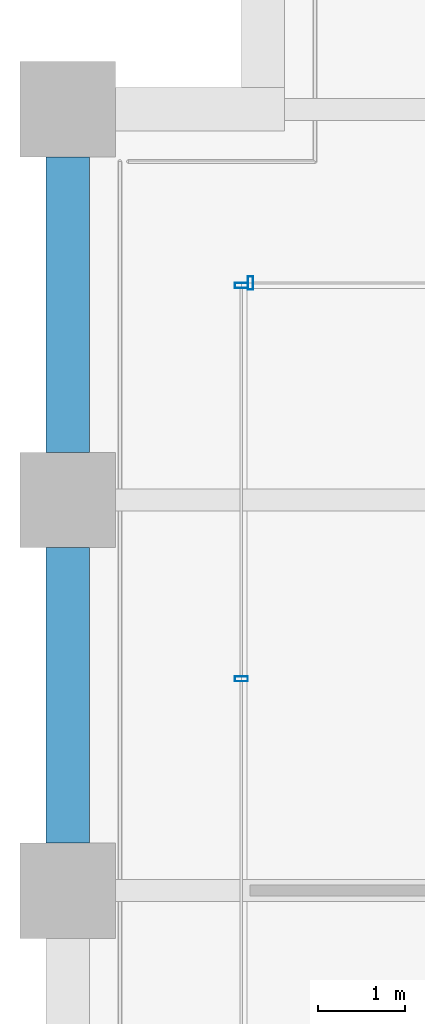
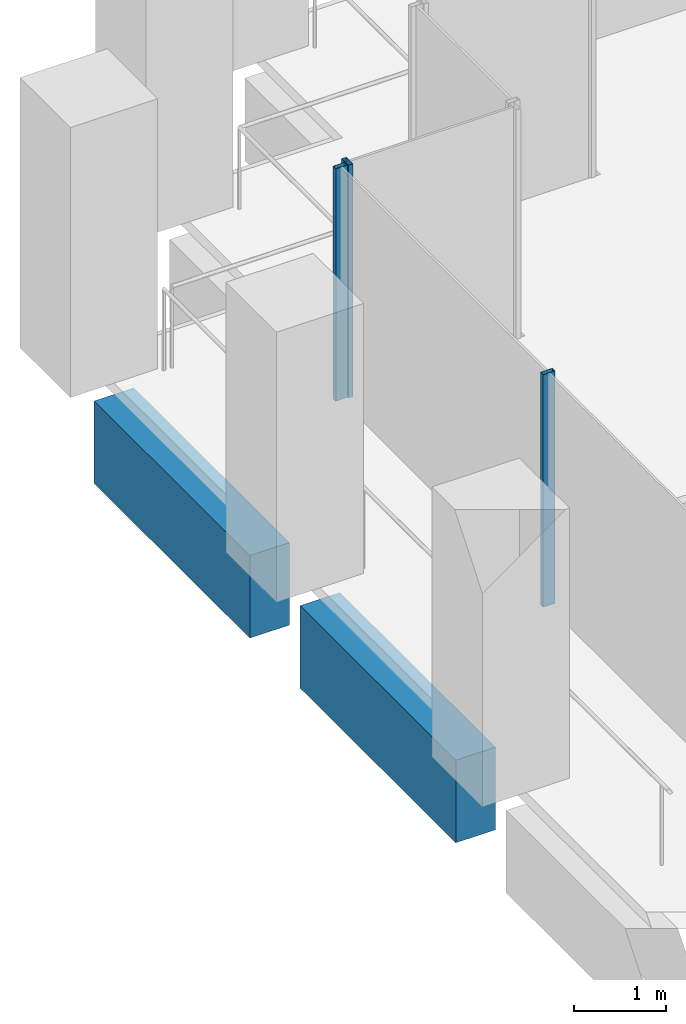
# One storey, part 23 of 56: 3 members, 2 beams, 2 elements without a shape of their own.
"""IFC4 building model written with IfcOpenShell, lengths in metres."""

from ifc_helpers import new_model, si_unit, direction, frame, origin, origin_2d, place, context, subcontext, project, spatial, rectangle, hollow_rectangle, extrude, material, material_profile, profile_set, type_object, element, aggregate, save


model = new_model("IFC4")

# Units and contexts
model_context = context("Model", 3, precision=1e-05, world=origin(), true_north=direction((0.0, 1.0)))
body_context = subcontext(model_context, "Body", "Model", "MODEL_VIEW")
ifc_project = project(units=[si_unit("LENGTHUNIT", "METRE"), si_unit("AREAUNIT", "SQUARE_METRE"), si_unit("VOLUMEUNIT", "CUBIC_METRE"), si_unit("PLANEANGLEUNIT", "RADIAN"), si_unit("MASSUNIT", "GRAM", prefix="KILO")], contexts=[model_context])

# Site, building, storey
site_placement = place(None, origin())
site = spatial("IfcSite", under=ifc_project, at=site_placement, CompositionType="ELEMENT")
building_placement = place(site_placement, origin())
building = spatial("IfcBuilding", under=site, at=building_placement, Name="Altepetl Exchange Towers", CompositionType="ELEMENT")
storey_placement = place(building_placement, frame((0.0, 0.0, 72.60009765625)))
storey = spatial("IfcBuildingStorey", under=building, at=storey_placement, Name="L17", CompositionType="ELEMENT", Elevation=72.60009765625)

# Curtain wall, member
ifc_material_1 = material(Name="Aluminium 6063-T6 glazing", Category="aluminium")
curtain_wall_type = type_object("IfcCurtainWallType", Name="Loggia glazing system", PredefinedType="NOTDEFINED", material=ifc_material_1)
curtain_wall_1_placement = place(storey_placement, origin())
curtain_wall_1 = element("IfcCurtainWall", 1, at=curtain_wall_1_placement, inside=storey, type_object=curtain_wall_type, Name="CW1 run", PredefinedType="NOTDEFINED")
ifc_material_2 = material(Name="Aluminium 6063-T6", Category="aluminium")
ifc_material_profile_1 = material_profile(ifc_material_2, hollow_rectangle(XDim=0.06005859375, YDim=0.14990234375, WallThickness=0.0029296875, at=origin_2d()), Name="Mullion 60x150 aluminium")
ifc_profile_set_1 = profile_set([ifc_material_profile_1], Name="Aluminium 6063-T6")
member_type = type_object("IfcMemberType", Name="Mullion 60x150 aluminium", PredefinedType="MULLION", material=ifc_profile_set_1)
member_1_placement = place(storey_placement, frame((29.10498046875, 65.5, 0.0), z_axis=(0.0, 0.0, 1.0), x_axis=(-1.0, 0.0, 0.0)))
member_1 = element("IfcMember", 2, at=member_1_placement, type_object=member_type, Name="MU1 mullion", PredefinedType="MULLION", context=body_context, shape_type="SweptSolid", body=[
    extrude(hollow_rectangle(XDim=0.06005859375, YDim=0.14990234375, WallThickness=0.0029296875, at=origin_2d()), origin(), (0.0, 0.0, 1.0), 3.099853515625),
])
aggregate(curtain_wall_1, [member_1])

# Curtain wall, members
curtain_wall_2_placement = place(storey_placement, origin())
curtain_wall_2 = element("IfcCurtainWall", 3, at=curtain_wall_2_placement, inside=storey, type_object=curtain_wall_type, Name="CW1 run", PredefinedType="NOTDEFINED")
member_2_placement = place(storey_placement, frame((29.0, 65.469970703125, 0.0), z_axis=(0.0, 0.0, 1.0), x_axis=(0.0, -1.0, 0.0)))
member_2 = element("IfcMember", 4, at=member_2_placement, type_object=member_type, Name="MU1 mullion", PredefinedType="MULLION", context=body_context, shape_type="SweptSolid", body=[
    extrude(hollow_rectangle(XDim=0.06005859375, YDim=0.14990234375, WallThickness=0.0029296875, at=origin_2d()), origin(), (0.0, 0.0, 1.0), 3.099853515625),
])
member_3_placement = place(storey_placement, frame((29.0, 60.939208984375, 0.0), z_axis=(0.0, 0.0, 1.0), x_axis=(0.0, -1.0, 0.0)))
member_3 = element("IfcMember", 5, at=member_3_placement, type_object=member_type, Name="MU1 mullion", PredefinedType="MULLION", context=body_context, shape_type="SweptSolid", body=[
    extrude(hollow_rectangle(XDim=0.06005859375, YDim=0.14990234375, WallThickness=0.0029296875, at=origin_2d()), origin(), (0.0, 0.0, 1.0), 3.099853515625),
])
aggregate(curtain_wall_2, [member_2, member_3])

# Beams
ifc_material_3 = material(Name="Concrete C50/60 precast with tezontle facing", Category="concrete")
ifc_material_profile_2 = material_profile(ifc_material_3, rectangle(XDim=0.5, YDim=1.10009765625, at=origin_2d()), Name="500 x 1100")
ifc_profile_set_2 = profile_set([ifc_material_profile_2], Name="Concrete C50/60 precast with tezontle facing")
beam_type = type_object("IfcBeamType", Name="Spandrel beam 500x1100 tezontle", PredefinedType="SPANDREL", material=ifc_profile_set_2)
for number, where, z_axis, x_axis, name in (
    (6, (27.0, 66.949951171875, -0.7001953125), (0.0, -1.0, 0.0), (1.0, 0.0, 0.0), "sp:A:L17:036"),
    (7, (27.0, 62.449951171875, -0.7001953125), (0.0, -1.0, 0.0), (1.0, 0.0, 0.0), "sp:A:L17:037"),
):
    element("IfcBeam", number, at=place(storey_placement, frame(where, z_axis=z_axis, x_axis=x_axis)), inside=storey, type_object=beam_type, Name=name, PredefinedType="SPANDREL", context=body_context, shape_type="SweptSolid", body=[
        extrude(rectangle(XDim=0.5, YDim=1.10009765625, at=origin_2d()), origin(), (0.0, 0.0, 1.0), 3.39990234375),
    ])

save(model, "model.ifc")
